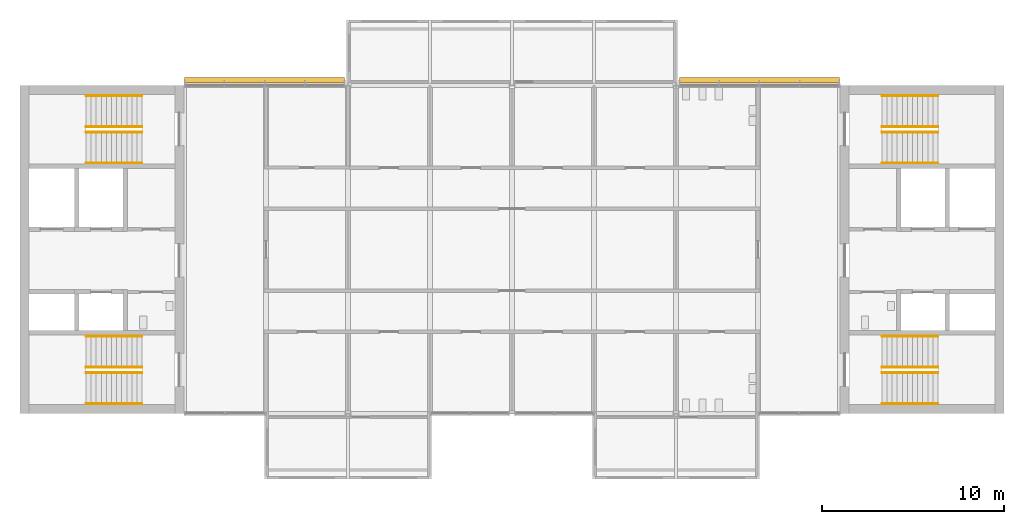
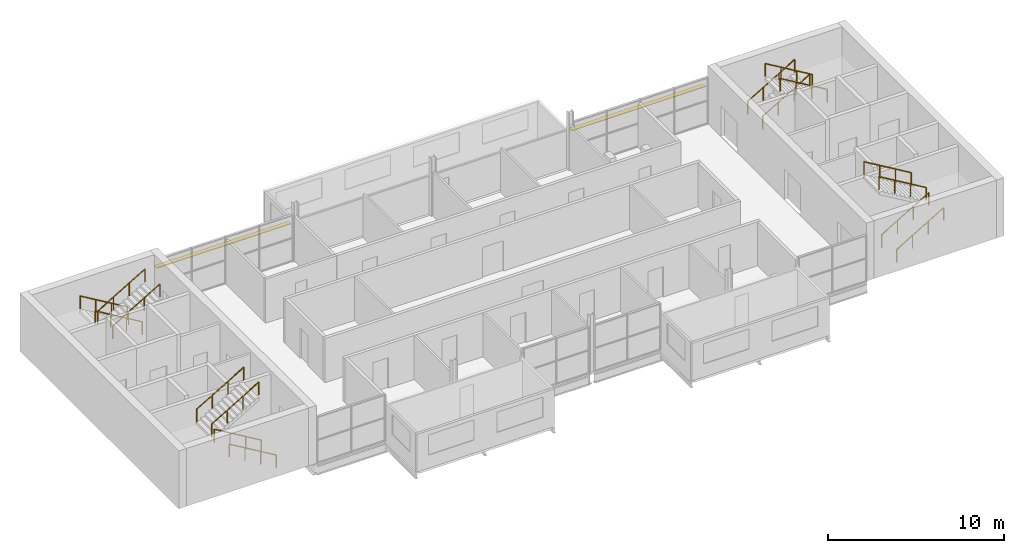
# One storey, part 9 of 10: 16 railings, 2 shading devices.
"""IFC4 building model written with IfcOpenShell, lengths in metres."""

from ifc_helpers import new_model, si_unit, direction, frame, origin, origin_2d, place, context, subcontext, project, spatial, rectangle, circle, extrude, material, layer, layer_set, type_object, element, save


model = new_model("IFC4")

# Units and contexts
model_context = context("Model", 3, precision=1e-05, world=origin(), true_north=direction((0.0, 1.0)))
body_context = subcontext(model_context, "Body", "Model", "MODEL_VIEW")
ifc_project = project(units=[si_unit("LENGTHUNIT", "METRE"), si_unit("AREAUNIT", "SQUARE_METRE"), si_unit("VOLUMEUNIT", "CUBIC_METRE"), si_unit("PLANEANGLEUNIT", "RADIAN"), si_unit("MASSUNIT", "GRAM", prefix="KILO")], contexts=[model_context])

# Site, building, storey
site_placement = place(None, origin())
site = spatial("IfcSite", under=ifc_project, at=site_placement, CompositionType="ELEMENT")
building_placement = place(site_placement, origin())
building = spatial("IfcBuilding", under=site, at=building_placement, Name="Corbel Yard City Hall", CompositionType="ELEMENT")
storey_placement = place(building_placement, frame((0.0, 0.0, 63.199951171875)))
storey = spatial("IfcBuildingStorey", under=building, at=storey_placement, Name="L15", CompositionType="ELEMENT", Elevation=63.199951171875)

# Railings
ifc_material_1 = material(Name="Stainless steel Grade 316", Category="steel")
railing_type = type_object("IfcRailingType", Name="HR1", PredefinedType="HANDRAIL", material=ifc_material_1)
for number, where, name in (
    (1, (6.699951171875, 99.550048828125, 0.166748046875), "Exit stair ST-W1 handrail"),
    (2, (6.699951171875, 101.25, 0.166748046875), "Exit stair ST-W1 handrail"),
):
    element("IfcRailing", number, at=place(storey_placement, frame(where)), inside=storey, type_object=railing_type, Name=name, PredefinedType="HANDRAIL", context=body_context, shape_type="SweptSolid", body=[
        extrude(circle(Radius=0.02392578125, at=origin_2d()), frame((0.0, 0.0, 0.8759765625), z_axis=(-0.859290745958, 0.0, 0.51148745235), x_axis=(0.0, -1.0, 0.0)), (0.0, 0.0, 1.0), 3.584228515625),
        extrude(circle(Radius=0.02099609375, at=origin_2d()), origin(), (0.0, 0.0, 1.0), 0.851806640625),
        extrude(circle(Radius=0.02099609375, at=origin_2d()), frame((-1.026611328125, 0.0, 0.611083984375)), (0.0, 0.0, 1.0), 0.851806640625),
        extrude(circle(Radius=0.02099609375, at=origin_2d()), frame((-2.05322265625, 0.0, 1.22216796875)), (0.0, 0.0, 1.0), 0.851806640625),
        extrude(circle(Radius=0.02099609375, at=origin_2d()), frame((-3.079833984375, 0.0, 1.833251953125)), (0.0, 0.0, 1.0), 0.851806640625),
    ])
for number, where, name in (
    (3, (3.6201171875, 101.550048828125, 2.166748046875), "Exit stair ST-W1 handrail"),
    (4, (3.6201171875, 103.25, 2.166748046875), "Exit stair ST-W1 handrail"),
):
    element("IfcRailing", number, at=place(storey_placement, frame(where)), inside=storey, type_object=railing_type, Name=name, PredefinedType="HANDRAIL", context=body_context, shape_type="SweptSolid", body=[
        extrude(circle(Radius=0.02392578125, at=origin_2d()), frame((0.0, 0.0, 0.8759765625), z_axis=(0.859290745958, 0.0, 0.51148745235), x_axis=(0.0, 1.0, 0.0)), (0.0, 0.0, 1.0), 3.584228515625),
        extrude(circle(Radius=0.02099609375, at=origin_2d()), origin(), (0.0, 0.0, 1.0), 0.851806640625),
        extrude(circle(Radius=0.02099609375, at=origin_2d()), frame((1.026611328125, 0.0, 0.611083984375)), (0.0, 0.0, 1.0), 0.851806640625),
        extrude(circle(Radius=0.02099609375, at=origin_2d()), frame((2.05322265625, 0.0, 1.22216796875)), (0.0, 0.0, 1.0), 0.851806640625),
        extrude(circle(Radius=0.02099609375, at=origin_2d()), frame((3.079833984375, 0.0, 1.833251953125)), (0.0, 0.0, 1.0), 0.851806640625),
    ])
for number, where, name in (
    (5, (6.699951171875, 116.449951171875, 0.166748046875), "Exit stair ST-W2 handrail"),
    (6, (6.699951171875, 114.75, 0.166748046875), "Exit stair ST-W2 handrail"),
):
    element("IfcRailing", number, at=place(storey_placement, frame(where)), inside=storey, type_object=railing_type, Name=name, PredefinedType="HANDRAIL", context=body_context, shape_type="SweptSolid", body=[
        extrude(circle(Radius=0.02392578125, at=origin_2d()), frame((0.0, 0.0, 0.8759765625), z_axis=(-0.859290745958, 0.0, 0.51148745235), x_axis=(0.0, -1.0, 0.0)), (0.0, 0.0, 1.0), 3.584228515625),
        extrude(circle(Radius=0.02099609375, at=origin_2d()), origin(), (0.0, 0.0, 1.0), 0.851806640625),
        extrude(circle(Radius=0.02099609375, at=origin_2d()), frame((-1.026611328125, 0.0, 0.611083984375)), (0.0, 0.0, 1.0), 0.851806640625),
        extrude(circle(Radius=0.02099609375, at=origin_2d()), frame((-2.05322265625, 0.0, 1.22216796875)), (0.0, 0.0, 1.0), 0.851806640625),
        extrude(circle(Radius=0.02099609375, at=origin_2d()), frame((-3.079833984375, 0.0, 1.833251953125)), (0.0, 0.0, 1.0), 0.851806640625),
    ])
for number, where, name in (
    (7, (3.6201171875, 114.449951171875, 2.166748046875), "Exit stair ST-W2 handrail"),
    (8, (3.6201171875, 112.75, 2.166748046875), "Exit stair ST-W2 handrail"),
    (9, (47.300048828125, 99.550048828125, 0.166748046875), "Exit stair ST-E1 handrail"),
    (10, (47.300048828125, 101.25, 0.166748046875), "Exit stair ST-E1 handrail"),
):
    element("IfcRailing", number, at=place(storey_placement, frame(where)), inside=storey, type_object=railing_type, Name=name, PredefinedType="HANDRAIL", context=body_context, shape_type="SweptSolid", body=[
        extrude(circle(Radius=0.02392578125, at=origin_2d()), frame((0.0, 0.0, 0.8759765625), z_axis=(0.859290745958, 0.0, 0.51148745235), x_axis=(0.0, 1.0, 0.0)), (0.0, 0.0, 1.0), 3.584228515625),
        extrude(circle(Radius=0.02099609375, at=origin_2d()), origin(), (0.0, 0.0, 1.0), 0.851806640625),
        extrude(circle(Radius=0.02099609375, at=origin_2d()), frame((1.026611328125, 0.0, 0.611083984375)), (0.0, 0.0, 1.0), 0.851806640625),
        extrude(circle(Radius=0.02099609375, at=origin_2d()), frame((2.05322265625, 0.0, 1.22216796875)), (0.0, 0.0, 1.0), 0.851806640625),
        extrude(circle(Radius=0.02099609375, at=origin_2d()), frame((3.079833984375, 0.0, 1.833251953125)), (0.0, 0.0, 1.0), 0.851806640625),
    ])
for number, where, name in (
    (11, (50.3798828125, 101.550048828125, 2.166748046875), "Exit stair ST-E1 handrail"),
    (12, (50.3798828125, 103.25, 2.166748046875), "Exit stair ST-E1 handrail"),
):
    element("IfcRailing", number, at=place(storey_placement, frame(where)), inside=storey, type_object=railing_type, Name=name, PredefinedType="HANDRAIL", context=body_context, shape_type="SweptSolid", body=[
        extrude(circle(Radius=0.02392578125, at=origin_2d()), frame((0.0, 0.0, 0.8759765625), z_axis=(-0.859290745958, 0.0, 0.51148745235), x_axis=(0.0, -1.0, 0.0)), (0.0, 0.0, 1.0), 3.584228515625),
        extrude(circle(Radius=0.02099609375, at=origin_2d()), origin(), (0.0, 0.0, 1.0), 0.851806640625),
        extrude(circle(Radius=0.02099609375, at=origin_2d()), frame((-1.026611328125, 0.0, 0.611083984375)), (0.0, 0.0, 1.0), 0.851806640625),
        extrude(circle(Radius=0.02099609375, at=origin_2d()), frame((-2.05322265625, 0.0, 1.22216796875)), (0.0, 0.0, 1.0), 0.851806640625),
        extrude(circle(Radius=0.02099609375, at=origin_2d()), frame((-3.079833984375, 0.0, 1.833251953125)), (0.0, 0.0, 1.0), 0.851806640625),
    ])
for number, where, name in (
    (13, (47.300048828125, 116.449951171875, 0.166748046875), "Exit stair ST-E2 handrail"),
    (14, (47.300048828125, 114.75, 0.166748046875), "Exit stair ST-E2 handrail"),
):
    element("IfcRailing", number, at=place(storey_placement, frame(where)), inside=storey, type_object=railing_type, Name=name, PredefinedType="HANDRAIL", context=body_context, shape_type="SweptSolid", body=[
        extrude(circle(Radius=0.02392578125, at=origin_2d()), frame((0.0, 0.0, 0.8759765625), z_axis=(0.859290745958, 0.0, 0.51148745235), x_axis=(0.0, 1.0, 0.0)), (0.0, 0.0, 1.0), 3.584228515625),
        extrude(circle(Radius=0.02099609375, at=origin_2d()), origin(), (0.0, 0.0, 1.0), 0.851806640625),
        extrude(circle(Radius=0.02099609375, at=origin_2d()), frame((1.026611328125, 0.0, 0.611083984375)), (0.0, 0.0, 1.0), 0.851806640625),
        extrude(circle(Radius=0.02099609375, at=origin_2d()), frame((2.05322265625, 0.0, 1.22216796875)), (0.0, 0.0, 1.0), 0.851806640625),
        extrude(circle(Radius=0.02099609375, at=origin_2d()), frame((3.079833984375, 0.0, 1.833251953125)), (0.0, 0.0, 1.0), 0.851806640625),
    ])
for number, where, name in (
    (15, (50.3798828125, 114.449951171875, 2.166748046875), "Exit stair ST-E2 handrail"),
    (16, (50.3798828125, 112.75, 2.166748046875), "Exit stair ST-E2 handrail"),
):
    element("IfcRailing", number, at=place(storey_placement, frame(where)), inside=storey, type_object=railing_type, Name=name, PredefinedType="HANDRAIL", context=body_context, shape_type="SweptSolid", body=[
        extrude(circle(Radius=0.02392578125, at=origin_2d()), frame((0.0, 0.0, 0.8759765625), z_axis=(-0.859290745958, 0.0, 0.51148745235), x_axis=(0.0, -1.0, 0.0)), (0.0, 0.0, 1.0), 3.584228515625),
        extrude(circle(Radius=0.02099609375, at=origin_2d()), origin(), (0.0, 0.0, 1.0), 0.851806640625),
        extrude(circle(Radius=0.02099609375, at=origin_2d()), frame((-1.026611328125, 0.0, 0.611083984375)), (0.0, 0.0, 1.0), 0.851806640625),
        extrude(circle(Radius=0.02099609375, at=origin_2d()), frame((-2.05322265625, 0.0, 1.22216796875)), (0.0, 0.0, 1.0), 0.851806640625),
        extrude(circle(Radius=0.02099609375, at=origin_2d()), frame((-3.079833984375, 0.0, 1.833251953125)), (0.0, 0.0, 1.0), 0.851806640625),
    ])

# Shading devices
ifc_material_2 = material(Name="Anodised aluminium", Category="aluminium")
ifc_layer = layer(ifc_material_2, 0.0400390625)
ifc_layer_set = layer_set([ifc_layer], Name="Anodised aluminium")
shading_device_type = type_object("IfcShadingDeviceType", Name="LV1", PredefinedType="JALOUSIE", material=ifc_layer_set)
for number, where, z_axis, x_axis, name in (
    (17, (13.421142578125, 117.2900390625, 2.45849609375), (0.0, 0.0, 1.0), (1.0, 0.0, 0.0), "Louvre blade"),
    (18, (40.578857421875, 117.2900390625, 2.45849609375), (0.0, 0.0, 1.0), (1.0, 0.0, 0.0), "Louvre blade"),
):
    element("IfcShadingDevice", number, at=place(storey_placement, frame(where, z_axis=z_axis, x_axis=x_axis)), inside=storey, type_object=shading_device_type, Name=name, PredefinedType="JALOUSIE", context=body_context, shape_type="SweptSolid", body=[
        extrude(rectangle(XDim=8.777587890625, YDim=0.300048828125, at=origin_2d()), origin(), (0.0, 0.0, 1.0), 0.0400390625),
    ])

save(model, "model.ifc")
